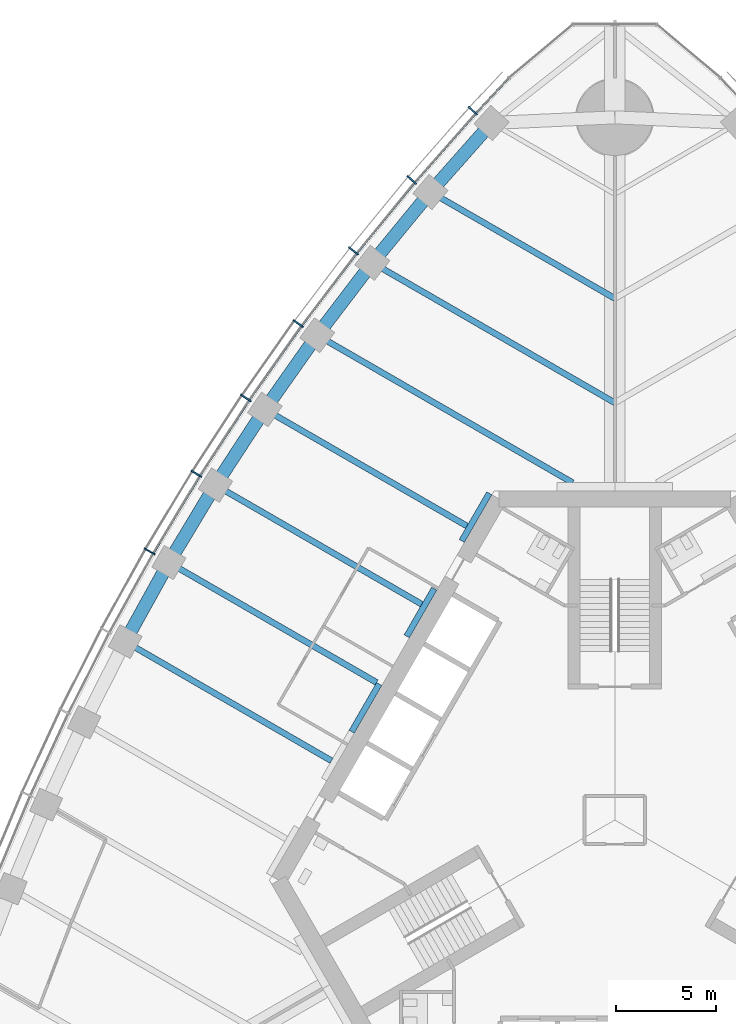
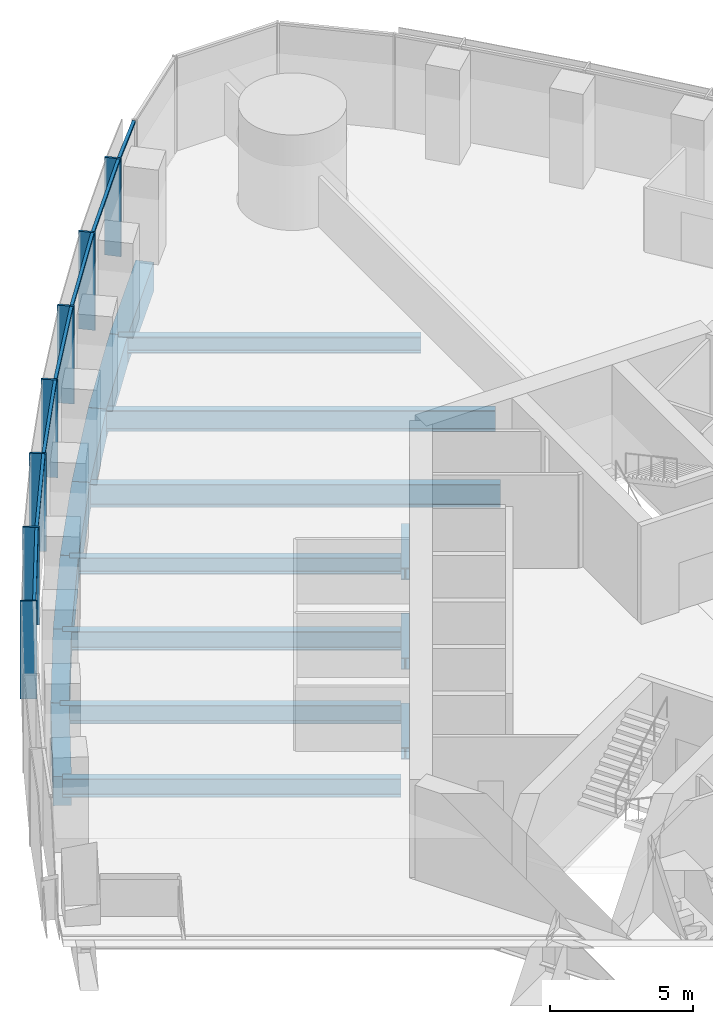
# One storey, part 4 of 19: 17 beams, 14 members, 1 element without a shape of its own.
"""IFC4 building model written with IfcOpenShell, lengths in metres."""

from ifc_helpers import new_model, si_unit, direction, frame, origin, origin_2d, place, context, subcontext, project, spatial, rectangle, i_section, extrude, material, material_profile, profile_set, type_object, element, aggregate, save


model = new_model("IFC4")

# Units and contexts
model_context = context("Model", 3, precision=1e-05, world=origin(), true_north=direction((0.0, 1.0)))
body_context = subcontext(model_context, "Body", "Model", "MODEL_VIEW")
ifc_project = project(units=[si_unit("LENGTHUNIT", "METRE"), si_unit("AREAUNIT", "SQUARE_METRE"), si_unit("VOLUMEUNIT", "CUBIC_METRE"), si_unit("PLANEANGLEUNIT", "RADIAN"), si_unit("MASSUNIT", "GRAM", prefix="KILO")], contexts=[model_context])

# Site, building, storey
site_placement = place(None, origin())
site = spatial("IfcSite", under=ifc_project, at=site_placement, CompositionType="ELEMENT")
building_placement = place(site_placement, origin())
building = spatial("IfcBuilding", under=site, at=building_placement, Name="Trefoil Bronze Tower", CompositionType="ELEMENT")
storey_placement = place(building_placement, frame((0.0, 0.0, 140.89990234375)))
storey = spatial("IfcBuildingStorey", under=building, at=storey_placement, Name="L32", CompositionType="ELEMENT", Elevation=140.89990234375)

# Curtain wall, members
ifc_material_1 = material(Name="Tinted solar-control glass", Category="glass")
curtain_wall_type = type_object("IfcCurtainWallType", Name="Bronze office curtain wall", PredefinedType="USERDEFINED", material=ifc_material_1)
curtain_wall_placement = place(storey_placement, origin())
curtain_wall = element("IfcCurtainWall", 1, at=curtain_wall_placement, inside=storey, type_object=curtain_wall_type, Name="CW-A L32 F3", ObjectType="CURTAIN WALL", PredefinedType="USERDEFINED")
ifc_material_2 = material(Name="Bronze-finish aluminium", Category="aluminium")
ifc_material_profile_1 = material_profile(ifc_material_2, rectangle(XDim=0.60009765625, YDim=0.080078125, at=origin_2d()), Name="CW-A mullion")
ifc_profile_set_1 = profile_set([ifc_material_profile_1], Name="Bronze-finish aluminium")
member_type_1 = type_object("IfcMemberType", Name="Bronze office curtain wall mullion", PredefinedType="MULLION", material=ifc_profile_set_1)
member_1_placement = place(storey_placement, frame((-7.070068359375, 35.332275390625, 0.0), z_axis=(0.0, 0.0, 1.0), x_axis=(0.740360700327, -0.672209813534, 0.0)))
member_1 = element("IfcMember", 2, at=member_1_placement, type_object=member_type_1, Name="CW-A L32 F3 mullion 2", PredefinedType="MULLION", context=body_context, shape_type="SweptSolid", body=[
    extrude(rectangle(XDim=0.60009765625, YDim=0.080078125, at=origin_2d()), origin(), (0.0, 0.0, 1.0), 4.18017578125),
])
member_2_placement = place(storey_placement, frame((-10.11474609375, 31.8828125, 0.0), z_axis=(0.0, 0.0, 1.0), x_axis=(0.761721651066, -0.647904411389, 0.0)))
member_2 = element("IfcMember", 3, at=member_2_placement, type_object=member_type_1, Name="CW-A L32 F3 mullion 3", PredefinedType="MULLION", context=body_context, shape_type="SweptSolid", body=[
    extrude(rectangle(XDim=0.60009765625, YDim=0.080078125, at=origin_2d()), origin(), (0.0, 0.0, 1.0), 4.18017578125),
])
member_3_placement = place(storey_placement, frame((-13.01220703125, 28.34716796875, 0.0), z_axis=(0.0, 0.0, 1.0), x_axis=(0.78487913905, -0.619648882098, 0.0)))
member_3 = element("IfcMember", 4, at=member_3_placement, type_object=member_type_1, Name="CW-A L32 F3 mullion 4", PredefinedType="MULLION", context=body_context, shape_type="SweptSolid", body=[
    extrude(rectangle(XDim=0.60009765625, YDim=0.080078125, at=origin_2d()), origin(), (0.0, 0.0, 1.0), 4.18017578125),
])
member_4_placement = place(storey_placement, frame((-15.764404296875, 24.7275390625, 0.0), z_axis=(0.0, 0.0, 1.0), x_axis=(0.806874522901, -0.590722865897, 0.0)))
member_4 = element("IfcMember", 5, at=member_4_placement, type_object=member_type_1, Name="CW-A L32 F3 mullion 5", PredefinedType="MULLION", context=body_context, shape_type="SweptSolid", body=[
    extrude(rectangle(XDim=0.60009765625, YDim=0.080078125, at=origin_2d()), origin(), (0.0, 0.0, 1.0), 4.18017578125),
])
member_5_placement = place(storey_placement, frame((-18.373046875, 21.025146484375, 0.0), z_axis=(0.0, 0.0, 1.0), x_axis=(0.827723925749, -0.561135547566, 0.0)))
member_5 = element("IfcMember", 6, at=member_5_placement, type_object=member_type_1, Name="CW-A L32 F3 mullion 6", PredefinedType="MULLION", context=body_context, shape_type="SweptSolid", body=[
    extrude(rectangle(XDim=0.60009765625, YDim=0.080078125, at=origin_2d()), origin(), (0.0, 0.0, 1.0), 4.18017578125),
])
member_6_placement = place(storey_placement, frame((-20.840087890625, 17.24072265625, 0.0), z_axis=(0.0, 0.0, 1.0), x_axis=(0.84743864936, -0.530893337283, 0.0)))
member_6 = element("IfcMember", 7, at=member_6_placement, type_object=member_type_1, Name="CW-A L32 F3 mullion 7", PredefinedType="MULLION", context=body_context, shape_type="SweptSolid", body=[
    extrude(rectangle(XDim=0.60009765625, YDim=0.080078125, at=origin_2d()), origin(), (0.0, 0.0, 1.0), 4.18017578125),
])
member_7_placement = place(storey_placement, frame((-23.166015625, 13.374755859375, 0.0), z_axis=(0.0, 0.0, 1.0), x_axis=(0.866025403784, -0.5, 0.0)))
member_7 = element("IfcMember", 8, at=member_7_placement, type_object=member_type_1, Name="CW-A L32 F3 mullion 8", PredefinedType="MULLION", context=body_context, shape_type="SweptSolid", body=[
    extrude(rectangle(XDim=0.60009765625, YDim=0.080078125, at=origin_2d()), origin(), (0.0, 0.0, 1.0), 4.18017578125),
])
ifc_material_3 = material(Name="Bronze-finish aluminium", Category="aluminium")
ifc_material_profile_2 = material_profile(ifc_material_3, rectangle(XDim=0.1201171875, YDim=0.10009765625, at=origin_2d()), Name="CW-A transom")
ifc_profile_set_2 = profile_set([ifc_material_profile_2], Name="Bronze-finish aluminium")
member_type_2 = type_object("IfcMemberType", Name="Bronze office curtain wall transom", PredefinedType="USERDEFINED", material=ifc_profile_set_2)
member_8_placement = place(storey_placement, frame((-5.296630859375, 36.9384765625, 4.130126953125), z_axis=(-0.682489214428, -0.730895664366, 0.0), x_axis=(0.730895664366, -0.682489214428, 0.0)))
member_8 = element("IfcMember", 9, at=member_8_placement, type_object=member_type_2, Name="CW-A L32 F3 transom 1", ObjectType="TRANSOM", PredefinedType="USERDEFINED", context=body_context, shape_type="SweptSolid", body=[
    extrude(rectangle(XDim=0.1201171875, YDim=0.10009765625, at=origin_2d()), origin(), (0.0, 0.0, 1.0), 2.340087890625),
])
member_9_placement = place(storey_placement, frame((-6.949462890625, 35.166748046875, 4.130126953125), z_axis=(-0.66173618877, -0.749736764786, 0.0), x_axis=(0.749736764786, -0.66173618877, 0.0)))
member_9 = element("IfcMember", 10, at=member_9_placement, type_object=member_type_2, Name="CW-A L32 F3 transom 2", ObjectType="TRANSOM", PredefinedType="USERDEFINED", context=body_context, shape_type="SweptSolid", body=[
    extrude(rectangle(XDim=0.1201171875, YDim=0.10009765625, at=origin_2d()), origin(), (0.0, 0.0, 1.0), 4.510986328125),
])
member_10_placement = place(storey_placement, frame((-9.98876953125, 31.720947265625, 4.130126953125), z_axis=(-0.633848872297, -0.773456919995, 0.0), x_axis=(0.773456919995, -0.633848872297, 0.0)))
member_10 = element("IfcMember", 11, at=member_10_placement, type_object=member_type_2, Name="CW-A L32 F3 transom 3", ObjectType="TRANSOM", PredefinedType="USERDEFINED", context=body_context, shape_type="SweptSolid", body=[
    extrude(rectangle(XDim=0.1201171875, YDim=0.10009765625, at=origin_2d()), origin(), (0.0, 0.0, 1.0), 4.480224609375),
])
member_11_placement = place(storey_placement, frame((-12.880615234375, 28.18994140625, 4.130126953125), z_axis=(-0.605229114572, -0.796051329296, 0.0), x_axis=(0.796051329296, -0.605229114572, 0.0)))
member_11 = element("IfcMember", 12, at=member_11_placement, type_object=member_type_2, Name="CW-A L32 F3 transom 4", ObjectType="TRANSOM", PredefinedType="USERDEFINED", context=body_context, shape_type="SweptSolid", body=[
    extrude(rectangle(XDim=0.1201171875, YDim=0.10009765625, at=origin_2d()), origin(), (0.0, 0.0, 1.0), 4.456298828125),
])
member_12_placement = place(storey_placement, frame((-15.626953125, 24.5751953125, 4.130126953125), z_axis=(-0.576017858824, -0.817437108478, 0.0), x_axis=(0.817437108478, -0.576017858824, 0.0)))
member_12 = element("IfcMember", 13, at=member_12_placement, type_object=member_type_2, Name="CW-A L32 F3 transom 5", ObjectType="TRANSOM", PredefinedType="USERDEFINED", context=body_context, shape_type="SweptSolid", body=[
    extrude(rectangle(XDim=0.1201171875, YDim=0.10009765625, at=origin_2d()), origin(), (0.0, 0.0, 1.0), 4.4384765625),
])
member_13_placement = place(storey_placement, frame((-18.23046875, 20.877685546875, 4.130126953125), z_axis=(-0.546079336226, -0.837733465099, 0.0), x_axis=(0.837733465099, -0.546079336226, 0.0)))
member_13 = element("IfcMember", 14, at=member_13_placement, type_object=member_type_2, Name="CW-A L32 F3 transom 6", ObjectType="TRANSOM", PredefinedType="USERDEFINED", context=body_context, shape_type="SweptSolid", body=[
    extrude(rectangle(XDim=0.1201171875, YDim=0.10009765625, at=origin_2d()), origin(), (0.0, 0.0, 1.0), 4.426513671875),
])
member_14_placement = place(storey_placement, frame((-20.692138671875, 17.0986328125, 4.130126953125), z_axis=(-0.515526794174, -0.856873458854, 0.0), x_axis=(0.856873458854, -0.515526794174, 0.0)))
member_14 = element("IfcMember", 15, at=member_14_placement, type_object=member_type_2, Name="CW-A L32 F3 transom 7", ObjectType="TRANSOM", PredefinedType="USERDEFINED", context=body_context, shape_type="SweptSolid", body=[
    extrude(rectangle(XDim=0.1201171875, YDim=0.10009765625, at=origin_2d()), origin(), (0.0, 0.0, 1.0), 4.4208984375),
])
aggregate(curtain_wall, [member_1, member_2, member_3, member_4, member_5, member_6, member_7, member_8, member_9, member_10, member_11, member_12, member_13, member_14])

# Beams
ifc_material_4 = material(Name="Steel C355", Category="steel")
ifc_material_profile_3 = material_profile(ifc_material_4, i_section(OverallWidth=0.300048828125, OverallDepth=0.5, WebThickness=0.014404296875, FlangeThickness=0.028076171875, FilletRadius=0.027099609375, at=origin_2d()), Name="HEB 500")
ifc_profile_set_3 = profile_set([ifc_material_profile_3], Name="Steel C355")
beam_type_1 = type_object("IfcBeamType", Name="Core seat beam HEB 500", PredefinedType="BEAM", material=ifc_profile_set_3)
for number, where, z_axis, x_axis, name in (
    (16, (-6.249755859375, 16.27490234375, -0.449951171875), (-0.500035825175, -0.866004719122, 0.0), (0.866004719122, -0.500035825175, 0.0), "Core seat beam F3/-2 L32"),
    (17, (-8.9921875, 11.52490234375, -0.449951171875), (-0.500035825175, -0.866004719122, 0.0), (0.866004719122, -0.500035825175, 0.0), "Core seat beam F3/-1 L32"),
    (18, (-11.734619140625, 6.77490234375, -0.449951171875), (-0.500035825175, -0.866004719122, 0.0), (0.866004719122, -0.500035825175, 0.0), "Core seat beam F3/+0 L32"),
):
    element("IfcBeam", number, at=place(storey_placement, frame(where, z_axis=z_axis, x_axis=x_axis)), inside=storey, type_object=beam_type_1, Name=name, PredefinedType="BEAM", context=body_context, shape_type="SweptSolid", body=[
        extrude(i_section(OverallWidth=0.300048828125, OverallDepth=0.5, WebThickness=0.014404296875, FlangeThickness=0.028076171875, FilletRadius=0.027099609375, at=origin_2d()), origin(), (0.0, 0.0, 1.0), 2.742431640625),
    ])
ifc_material_5 = material(Name="Steel C355", Category="steel")
ifc_material_profile_4 = material_profile(ifc_material_5, i_section(OverallWidth=0.300048828125, OverallDepth=1.0, WebThickness=0.01904296875, FlangeThickness=0.035888671875, FilletRadius=0.030029296875, at=origin_2d()), Name="HEB 1000")
ifc_profile_set_4 = profile_set([ifc_material_profile_4], Name="Steel C355")
beam_type_2 = type_object("IfcBeamType", Name="Floor beam HEB 1000", PredefinedType="BEAM", material=ifc_profile_set_4)
beam_1_placement = place(storey_placement, frame((-14.825439453125, 24.14794921875, -0.699951171875), z_axis=(0.866027342682, -0.499996641717, 0.0), x_axis=(0.499996641717, 0.866027342682, 0.0)))
element("IfcBeam", 19, at=beam_1_placement, inside=storey, type_object=beam_type_2, Name="Floor beam F3/-3 L32", PredefinedType="BEAM", context=body_context, shape_type="SweptSolid", body=[
    extrude(i_section(OverallWidth=0.300048828125, OverallDepth=1.0, WebThickness=0.01904296875, FlangeThickness=0.035888671875, FilletRadius=0.030029296875, at=origin_2d()), origin(), (0.0, 0.0, 1.0), 14.69580078125),
])
ifc_material_6 = material(Name="Steel C355", Category="steel")
ifc_material_profile_5 = material_profile(ifc_material_6, i_section(OverallWidth=0.300048828125, OverallDepth=0.699951171875, WebThickness=0.01708984375, FlangeThickness=0.031982421875, FilletRadius=0.027099609375, at=origin_2d()), Name="HEB 700")
ifc_profile_set_5 = profile_set([ifc_material_profile_5], Name="Steel C355")
beam_type_3 = type_object("IfcBeamType", Name="Floor beam HEB 700", PredefinedType="BEAM", material=ifc_profile_set_5)
beam_2_placement = place(storey_placement, frame((-9.181884765625, 31.281982421875, -0.5498046875), z_axis=(0.866021079084, -0.500007490527, 0.0), x_axis=(0.500007490527, 0.866021079084, 0.0)))
element("IfcBeam", 20, at=beam_2_placement, inside=storey, type_object=beam_type_3, Name="Floor beam F3/-5 L32", PredefinedType="BEAM", context=body_context, shape_type="SweptSolid", body=[
    extrude(i_section(OverallWidth=0.300048828125, OverallDepth=0.699951171875, WebThickness=0.01708984375, FlangeThickness=0.031982421875, FilletRadius=0.027099609375, at=origin_2d()), origin(), (0.0, 0.0, 1.0), 10.602294921875),
])
beam_3_placement = place(storey_placement, frame((-17.43017578125, 20.45556640625, -0.5498046875), z_axis=(0.866030626868, -0.499990953245, 0.0), x_axis=(0.499990953245, 0.866030626868, 0.0)))
element("IfcBeam", 21, at=beam_3_placement, inside=storey, type_object=beam_type_3, Name="Floor beam F3/-2 L32", PredefinedType="BEAM", context=body_context, shape_type="SweptSolid", body=[
    extrude(i_section(OverallWidth=0.300048828125, OverallDepth=0.699951171875, WebThickness=0.01708984375, FlangeThickness=0.031982421875, FilletRadius=0.027099609375, at=origin_2d()), origin(), (0.0, 0.0, 1.0), 11.622802734375),
])
ifc_material_7 = material(Name="Steel C355", Category="steel")
ifc_material_profile_6 = material_profile(ifc_material_7, i_section(OverallWidth=0.300048828125, OverallDepth=0.800048828125, WebThickness=0.017578125, FlangeThickness=0.032958984375, FilletRadius=0.030029296875, at=origin_2d()), Name="HEB 800")
ifc_profile_set_6 = profile_set([ifc_material_profile_6], Name="Steel C355")
beam_type_4 = type_object("IfcBeamType", Name="Floor beam HEB 800", PredefinedType="BEAM", material=ifc_profile_set_6)
beam_4_placement = place(storey_placement, frame((-19.892578125, 16.68115234375, -0.599853515625), z_axis=(0.866024236736, -0.500002021381, 0.0), x_axis=(0.500002021381, 0.866024236736, 0.0)))
element("IfcBeam", 22, at=beam_4_placement, inside=storey, type_object=beam_type_4, Name="Floor beam F3/-1 L32", PredefinedType="BEAM", context=body_context, shape_type="SweptSolid", body=[
    extrude(i_section(OverallWidth=0.300048828125, OverallDepth=0.800048828125, WebThickness=0.017578125, FlangeThickness=0.032958984375, FilletRadius=0.030029296875, at=origin_2d()), origin(), (0.0, 0.0, 1.0), 11.8681640625),
])
beam_5_placement = place(storey_placement, frame((-22.21337890625, 12.824951171875, -0.599853515625), z_axis=(0.866028062731, -0.499995394541, 0.0), x_axis=(0.499995394541, 0.866028062731, 0.0)))
element("IfcBeam", 23, at=beam_5_placement, inside=storey, type_object=beam_type_4, Name="Floor beam F3/+0 L32", PredefinedType="BEAM", context=body_context, shape_type="SweptSolid", body=[
    extrude(i_section(OverallWidth=0.300048828125, OverallDepth=0.800048828125, WebThickness=0.017578125, FlangeThickness=0.032958984375, FilletRadius=0.030029296875, at=origin_2d()), origin(), (0.0, 0.0, 1.0), 11.94970703125),
])
beam_6_placement = place(storey_placement, frame((-24.392578125, 8.886962890625, -0.599853515625), z_axis=(0.866024236736, -0.500002021381, 0.0), x_axis=(0.500002021381, 0.866024236736, 0.0)))
element("IfcBeam", 24, at=beam_6_placement, inside=storey, type_object=beam_type_4, Name="Floor beam F3/+1 L32", PredefinedType="BEAM", context=body_context, shape_type="SweptSolid", body=[
    extrude(i_section(OverallWidth=0.300048828125, OverallDepth=0.800048828125, WebThickness=0.017578125, FlangeThickness=0.032958984375, FilletRadius=0.030029296875, at=origin_2d()), origin(), (0.0, 0.0, 1.0), 11.8681640625),
])
ifc_material_8 = material(Name="Steel C355", Category="steel")
ifc_material_profile_7 = material_profile(ifc_material_8, i_section(OverallWidth=0.300048828125, OverallDepth=0.89990234375, WebThickness=0.0185546875, FlangeThickness=0.034912109375, FilletRadius=0.030029296875, at=origin_2d()), Name="HEB 900")
ifc_profile_set_7 = profile_set([ifc_material_profile_7], Name="Steel C355")
beam_type_5 = type_object("IfcBeamType", Name="Floor beam HEB 900", PredefinedType="BEAM", material=ifc_profile_set_7)
beam_7_placement = place(storey_placement, frame((-12.07666015625, 27.757080078125, -0.64990234375), z_axis=(0.866026983775, -0.499997263366, 0.0), x_axis=(0.499997263366, 0.866026983775, 0.0)))
element("IfcBeam", 25, at=beam_7_placement, inside=storey, type_object=beam_type_5, Name="Floor beam F3/-4 L32", PredefinedType="BEAM", context=body_context, shape_type="SweptSolid", body=[
    extrude(i_section(OverallWidth=0.300048828125, OverallDepth=0.89990234375, WebThickness=0.0185546875, FlangeThickness=0.034912109375, FilletRadius=0.030029296875, at=origin_2d()), origin(), (0.0, 0.0, 1.0), 13.94482421875),
])
ifc_material_9 = material(Name="Concrete B80", Category="concrete")
ifc_material_profile_8 = material_profile(ifc_material_9, rectangle(XDim=0.64990234375, YDim=1.25, at=origin_2d()), Name="RC 650x1250")
ifc_profile_set_8 = profile_set([ifc_material_profile_8], Name="Concrete B80")
beam_type_6 = type_object("IfcBeamType", Name="Spandrel beam RC 650x1250", PredefinedType="SPANDREL", material=ifc_profile_set_8)
beam_8_placement = place(storey_placement, frame((-6.13916015625, 34.72119140625, -0.824951171875), z_axis=(-0.662616326239, -0.748959013699, 0.0), x_axis=(0.748959013699, -0.662616326239, 0.0)))
element("IfcBeam", 26, at=beam_8_placement, inside=storey, type_object=beam_type_6, Name="Spandrel F3.2 L32", PredefinedType="SPANDREL", context=body_context, shape_type="SweptSolid", body=[
    extrude(rectangle(XDim=0.64990234375, YDim=1.25, at=origin_2d()), origin(), (0.0, 0.0, 1.0), 4.592041015625),
])
beam_9_placement = place(storey_placement, frame((-9.181884765625, 31.281982421875, -0.824951171875), z_axis=(-0.634650386838, -0.772799383079, 0.0), x_axis=(0.772799383079, -0.634650386838, 0.0)))
element("IfcBeam", 27, at=beam_9_placement, inside=storey, type_object=beam_type_6, Name="Spandrel F3.3 L32", PredefinedType="SPANDREL", context=body_context, shape_type="SweptSolid", body=[
    extrude(rectangle(XDim=0.64990234375, YDim=1.25, at=origin_2d()), origin(), (0.0, 0.0, 1.0), 4.561279296875),
])
beam_10_placement = place(storey_placement, frame((-12.07666015625, 27.757080078125, -0.824951171875), z_axis=(-0.605898901788, -0.795541652468, 0.0), x_axis=(0.795541652468, -0.605898901788, 0.0)))
element("IfcBeam", 28, at=beam_10_placement, inside=storey, type_object=beam_type_6, Name="Spandrel F3.4 L32", PredefinedType="SPANDREL", context=body_context, shape_type="SweptSolid", body=[
    extrude(rectangle(XDim=0.64990234375, YDim=1.25, at=origin_2d()), origin(), (0.0, 0.0, 1.0), 4.53662109375),
])
beam_11_placement = place(storey_placement, frame((-14.825439453125, 24.14794921875, -0.824951171875), z_axis=(-0.576439228712, -0.81714002203, 0.0), x_axis=(0.81714002203, -0.576439228712, 0.0)))
element("IfcBeam", 29, at=beam_11_placement, inside=storey, type_object=beam_type_6, Name="Spandrel F3.5 L32", PredefinedType="SPANDREL", context=body_context, shape_type="SweptSolid", body=[
    extrude(rectangle(XDim=0.64990234375, YDim=1.25, at=origin_2d()), origin(), (0.0, 0.0, 1.0), 4.5185546875),
])
beam_12_placement = place(storey_placement, frame((-17.43017578125, 20.45556640625, -0.824951171875), z_axis=(-0.546396670296, -0.83752652417, 0.0), x_axis=(0.83752652417, -0.546396670296, 0.0)))
element("IfcBeam", 30, at=beam_12_placement, inside=storey, type_object=beam_type_6, Name="Spandrel F3.6 L32", PredefinedType="SPANDREL", context=body_context, shape_type="SweptSolid", body=[
    extrude(rectangle(XDim=0.64990234375, YDim=1.25, at=origin_2d()), origin(), (0.0, 0.0, 1.0), 4.506591796875),
])
for number, where, z_axis, x_axis, name in (
    (31, (-19.892578125, 16.68115234375, -0.824951171875), (-0.515651979972, -0.856798129988, 0.0), (0.856798129988, -0.515651979972, 0.0), "Spandrel F3.7 L32"),
    (32, (-22.21337890625, 12.824951171875, -0.824951171875), (-0.484186866546, -0.874964615436, 0.0), (0.874964615436, -0.484186866546, 0.0), "Spandrel F3.8 L32"),
):
    element("IfcBeam", number, at=place(storey_placement, frame(where, z_axis=z_axis, x_axis=x_axis)), inside=storey, type_object=beam_type_6, Name=name, PredefinedType="SPANDREL", context=body_context, shape_type="SweptSolid", body=[
        extrude(rectangle(XDim=0.64990234375, YDim=1.25, at=origin_2d()), origin(), (0.0, 0.0, 1.0), 4.500732421875),
    ])

save(model, "model.ifc")
